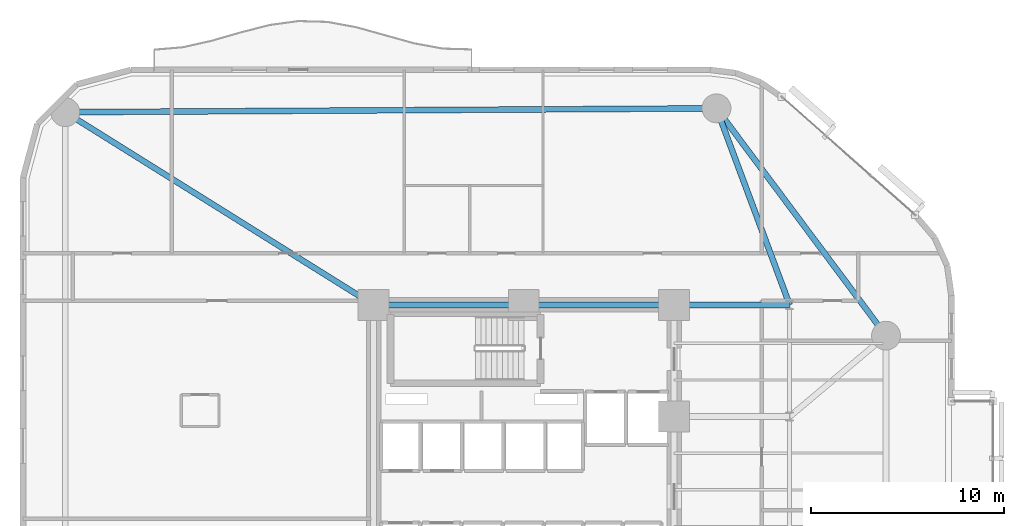
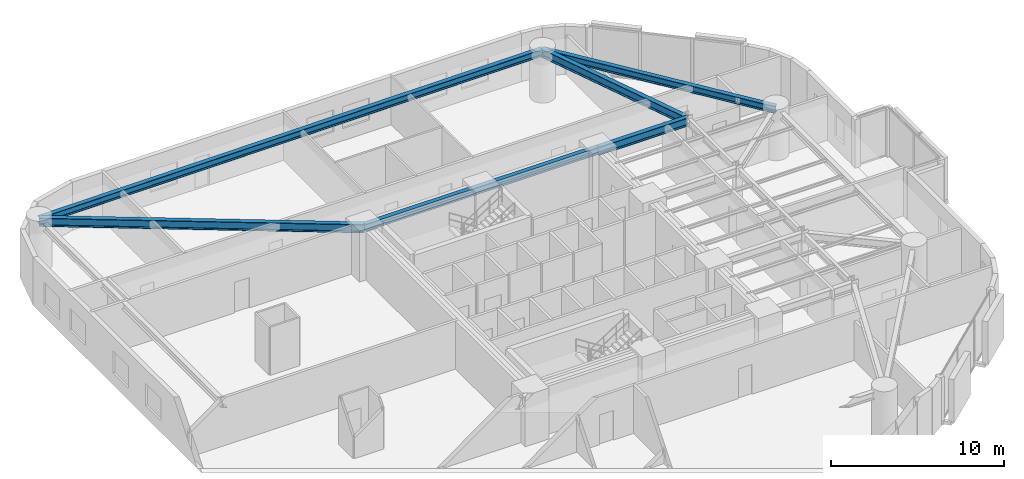
# One storey, part 7 of 16: 6 beams.
"""IFC4 building model written with IfcOpenShell, lengths in metres."""

from ifc_helpers import new_model, si_unit, direction, frame, origin, origin_2d, place, context, subcontext, project, spatial, i_section, extrude, material, material_profile, profile_set, type_object, element, save


model = new_model("IFC4")

# Units and contexts
model_context = context("Model", 3, precision=1e-05, world=origin(), true_north=direction((0.0, 1.0)))
body_context = subcontext(model_context, "Body", "Model", "MODEL_VIEW")
ifc_project = project(units=[si_unit("LENGTHUNIT", "METRE"), si_unit("AREAUNIT", "SQUARE_METRE"), si_unit("VOLUMEUNIT", "CUBIC_METRE"), si_unit("PLANEANGLEUNIT", "RADIAN"), si_unit("MASSUNIT", "GRAM", prefix="KILO")], contexts=[model_context])

# Site, building, storey
site_placement = place(None, origin())
site = spatial("IfcSite", under=ifc_project, at=site_placement, CompositionType="ELEMENT")
building_placement = place(site_placement, origin())
building = spatial("IfcBuilding", under=site, at=building_placement, Name="An Khanh Terracotta Commons", CompositionType="ELEMENT")
storey_placement = place(building_placement, frame((0.0, 0.0, 46.800048828125)))
storey = spatial("IfcBuildingStorey", under=building, at=storey_placement, Name="L12", CompositionType="ELEMENT", Elevation=46.800048828125)

# Beams
ifc_material = material(Name="Steel S355J2", Category="steel")
ifc_material_profile_1 = material_profile(ifc_material, i_section(OverallWidth=0.300048828125, OverallDepth=0.5, WebThickness=0.014404296875, FlangeThickness=0.028076171875, FilletRadius=0.027099609375, at=origin_2d()), Name="HEB500")
ifc_profile_set_1 = profile_set([ifc_material_profile_1], Name="Steel S355J2")
beam_type_1 = type_object("IfcBeamType", Name="BM-HEB500", PredefinedType="BEAM", material=ifc_profile_set_1)
beam_1_placement = place(storey_placement, frame((21.60009765625, 33.60009765625, 3.14990234375), z_axis=(1.0, 0.0, 0.0), x_axis=(0.0, 1.0, 0.0)))
element("IfcBeam", 1, at=beam_1_placement, inside=storey, type_object=beam_type_1, Name="L12 Core North Coupling Girder", PredefinedType="BEAM", context=body_context, shape_type="SweptSolid", body=[
    extrude(i_section(OverallWidth=0.300048828125, OverallDepth=0.5, WebThickness=0.014404296875, FlangeThickness=0.028076171875, FilletRadius=0.027099609375, at=origin_2d()), origin(), (0.0, 0.0, 1.0), 15.599853515625),
])
beam_2_placement = place(storey_placement, frame((48.199951171875, 32.0, 3.14990234375), z_axis=(-0.59782442166, 0.801627070942, 0.0), x_axis=(-0.801627070942, -0.59782442166, 0.0)))
element("IfcBeam", 2, at=beam_2_placement, inside=storey, type_object=beam_type_1, Name="L12 Perimeter Ring Spandrel 4", PredefinedType="BEAM", context=body_context, shape_type="SweptSolid", body=[
    extrude(i_section(OverallWidth=0.300048828125, OverallDepth=0.5, WebThickness=0.014404296875, FlangeThickness=0.028076171875, FilletRadius=0.027099609375, at=origin_2d()), origin(), (0.0, 0.0, 1.0), 14.72021484375),
])
beam_3_placement = place(storey_placement, frame((39.39990234375, 43.800048828125, 3.14990234375), z_axis=(-0.999982502414, -0.005915645817, 0.0), x_axis=(0.005915645817, -0.999982502414, 0.0)))
element("IfcBeam", 3, at=beam_3_placement, inside=storey, type_object=beam_type_1, Name="L12 Perimeter Ring Spandrel 5", PredefinedType="BEAM", context=body_context, shape_type="SweptSolid", body=[
    extrude(i_section(OverallWidth=0.300048828125, OverallDepth=0.5, WebThickness=0.014404296875, FlangeThickness=0.028076171875, FilletRadius=0.027099609375, at=origin_2d()), origin(), (0.0, 0.0, 1.0), 33.80029296875),
])
ifc_material_profile_2 = material_profile(ifc_material, i_section(OverallWidth=0.300048828125, OverallDepth=0.60009765625, WebThickness=0.015380859375, FlangeThickness=0.030029296875, FilletRadius=0.027099609375, at=origin_2d()), Name="HEB600")
ifc_profile_set_2 = profile_set([ifc_material_profile_2], Name="Steel S355J2")
beam_type_2 = type_object("IfcBeamType", Name="BM-HEB600", PredefinedType="BEAM", material=ifc_profile_set_2)
beam_4_placement = place(storey_placement, frame((37.199951171875, 33.60009765625, 3.099853515625), z_axis=(1.0, 0.0, 0.0), x_axis=(0.0, 1.0, 0.0)))
element("IfcBeam", 4, at=beam_4_placement, inside=storey, type_object=beam_type_2, Name="L12 East Primary Floor Girder 4", PredefinedType="BEAM", context=body_context, shape_type="SweptSolid", body=[
    extrude(i_section(OverallWidth=0.300048828125, OverallDepth=0.60009765625, WebThickness=0.015380859375, FlangeThickness=0.030029296875, FilletRadius=0.027099609375, at=origin_2d()), origin(), (0.0, 0.0, 1.0), 6.0),
])
beam_5_placement = place(storey_placement, frame((39.39990234375, 43.800048828125, 3.099853515625), z_axis=(0.349114429862, -0.937080100558, 0.0), x_axis=(0.937080100558, 0.349114429862, 0.0)))
element("IfcBeam", 5, at=beam_5_placement, inside=storey, type_object=beam_type_2, Name="L12 Mega-Column Tie Girder 5", PredefinedType="BEAM", context=body_context, shape_type="SweptSolid", body=[
    extrude(i_section(OverallWidth=0.300048828125, OverallDepth=0.60009765625, WebThickness=0.015380859375, FlangeThickness=0.030029296875, FilletRadius=0.027099609375, at=origin_2d()), origin(), (0.0, 0.0, 1.0), 10.884765625),
])
beam_6_placement = place(storey_placement, frame((5.60009765625, 43.60009765625, 3.099853515625), z_axis=(0.847998304005, -0.529998940003, 0.0), x_axis=(0.529998940003, 0.847998304005, 0.0)))
element("IfcBeam", 6, at=beam_6_placement, inside=storey, type_object=beam_type_2, Name="L12 Mega-Column Tie Girder 6", PredefinedType="BEAM", context=body_context, shape_type="SweptSolid", body=[
    extrude(i_section(OverallWidth=0.300048828125, OverallDepth=0.60009765625, WebThickness=0.015380859375, FlangeThickness=0.030029296875, FilletRadius=0.027099609375, at=origin_2d()), origin(), (0.0, 0.0, 1.0), 18.867919921875),
])

save(model, "model.ifc")
